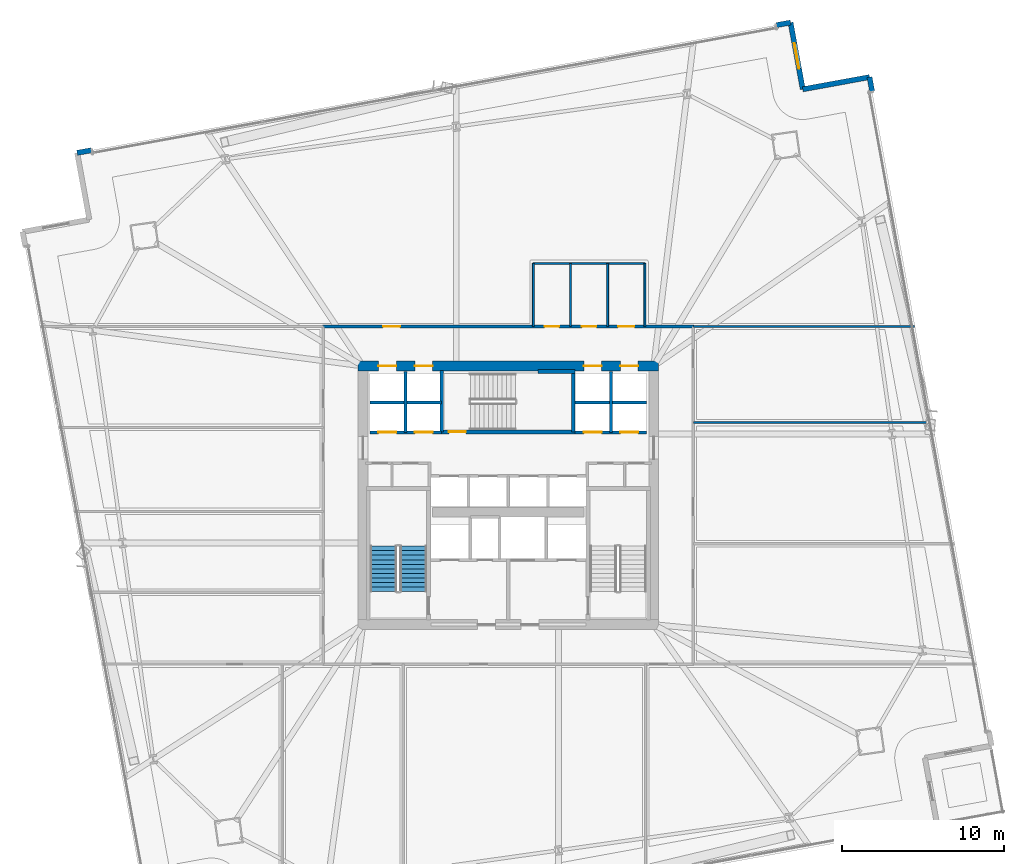
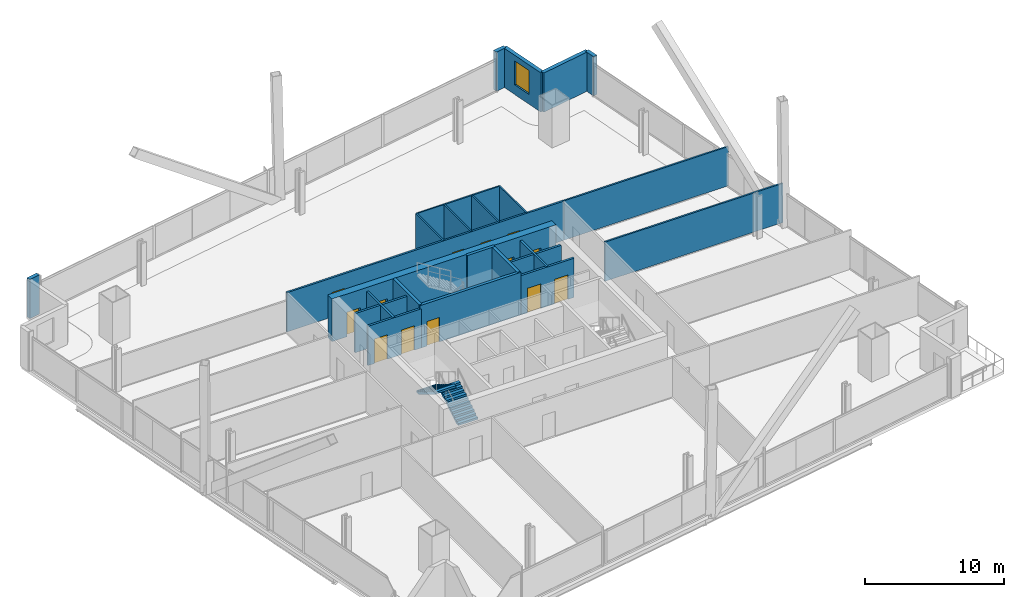
# One storey, part 28 of 34: 24 walls, 13 doors, 2 stair flights, 1 window, 14 openings, 1 element without a shape of its own.
"""IFC4 building model written with IfcOpenShell, lengths in metres."""

from ifc_helpers import new_model, si_unit, direction, frame, frame_2d, origin, place, context, subcontext, project, spatial, polyline, rectangle, outline, extrude, material, layer, layer_set, type_object, element, fill, aggregate, save


model = new_model("IFC4")

# Units and contexts
model_context = context("Model", 3, precision=1e-05, world=origin(), true_north=direction((0.0, 1.0)))
body_context = subcontext(model_context, "Body", "Model", "MODEL_VIEW")
ifc_project = project(units=[si_unit("LENGTHUNIT", "METRE"), si_unit("AREAUNIT", "SQUARE_METRE"), si_unit("VOLUMEUNIT", "CUBIC_METRE"), si_unit("PLANEANGLEUNIT", "RADIAN"), si_unit("MASSUNIT", "GRAM", prefix="KILO")], contexts=[model_context])

# Site, building, storey
site_placement = place(None, origin())
site = spatial("IfcSite", under=ifc_project, at=site_placement, CompositionType="ELEMENT")
building_placement = place(site_placement, origin())
building = spatial("IfcBuilding", under=site, at=building_placement, Name="Haldenkirk Collegiate Tower", CompositionType="ELEMENT")
storey_placement = place(building_placement, frame((0.0, 0.0, 62.699951171875)))
storey = spatial("IfcBuildingStorey", under=building, at=storey_placement, Name="L14", CompositionType="ELEMENT", Elevation=62.699951171875)

# Wall, openings, doors
ifc_material_1 = material(Name="Concrete f'c 70 MPa", Category="concrete")
ifc_layer_1 = layer(ifc_material_1, 0.60009765625)
ifc_layer_set_1 = layer_set([ifc_layer_1], Name="Concrete f'c 70 MPa")
wall_type_1 = type_object("IfcWallType", Name="WL-CORE-600", PredefinedType="SHEAR", material=ifc_layer_set_1)
wall_1_placement = place(storey_placement, frame((26.699951171875, 34.0, 0.0), z_axis=(0.0, 0.0, 1.0), x_axis=(1.0, 0.0, 0.0)))
wall_1 = element("IfcWall", 1, at=wall_1_placement, inside=storey, type_object=wall_type_1, Name="L14 central core shear wall N", PredefinedType="SHEAR", context=body_context, shape_type="SweptSolid", body=[
    extrude(rectangle(XDim=18.60009765625, YDim=0.60009765625, at=frame_2d((9.300048828125, 0.0))), origin(), (0.0, 0.0, 1.0), 3.75),
])
opening_1_placement = place(wall_1_placement, frame((1.264892578125, 0.0, 0.0)))
opening_1 = element("IfcOpeningElement", 2, at=opening_1_placement, cuts=wall_1, Name="Opening LD-11", PredefinedType="OPENING", context=body_context, shape_type="SweptSolid", body=[
    extrude(rectangle(XDim=1.10009765625, YDim=2.14990234375, at=frame_2d((0.550048828125, 1.074951171875))), frame((0.0, 0.31005859375, 0.0), z_axis=(0.0, -1.0, 0.0), x_axis=(1.0, 0.0, 0.0)), (0.0, 0.0, 1.0), 0.6201171875),
])
opening_2_placement = place(wall_1_placement, frame((3.514892578125, 0.0, 0.0)))
opening_2 = element("IfcOpeningElement", 3, at=opening_2_placement, cuts=wall_1, Name="Opening LD-11", PredefinedType="OPENING", context=body_context, shape_type="SweptSolid", body=[
    extrude(rectangle(XDim=1.10009765625, YDim=2.14990234375, at=frame_2d((0.550048828125, 1.074951171875))), frame((0.0, 0.31005859375, 0.0), z_axis=(0.0, -1.0, 0.0), x_axis=(1.0, 0.0, 0.0)), (0.0, 0.0, 1.0), 0.6201171875),
])
opening_3_placement = place(wall_1_placement, frame((13.985107421875, 0.0, 0.0)))
opening_3 = element("IfcOpeningElement", 4, at=opening_3_placement, cuts=wall_1, Name="Opening LD-11", PredefinedType="OPENING", context=body_context, shape_type="SweptSolid", body=[
    extrude(rectangle(XDim=1.10009765625, YDim=2.14990234375, at=frame_2d((0.550048828125, 1.074951171875))), frame((0.0, 0.31005859375, 0.0), z_axis=(0.0, -1.0, 0.0), x_axis=(1.0, 0.0, 0.0)), (0.0, 0.0, 1.0), 0.6201171875),
])
opening_4_placement = place(wall_1_placement, frame((16.235107421875, 0.0, 0.0)))
opening_4 = element("IfcOpeningElement", 5, at=opening_4_placement, cuts=wall_1, Name="Opening LD-11", PredefinedType="OPENING", context=body_context, shape_type="SweptSolid", body=[
    extrude(rectangle(XDim=1.10009765625, YDim=2.14990234375, at=frame_2d((0.550048828125, 1.074951171875))), frame((0.0, 0.31005859375, 0.0), z_axis=(0.0, -1.0, 0.0), x_axis=(1.0, 0.0, 0.0)), (0.0, 0.0, 1.0), 0.6201171875),
])
ifc_material_2 = material(Name="Brushed architectural stainless steel", Category="steel")
ifc_layer_2 = layer(ifc_material_2, 0.06005859375)
ifc_layer_set_2 = layer_set([ifc_layer_2], Name="Brushed architectural stainless steel")
door_type_1 = type_object("IfcDoorType", Name="LD-PASS-1100", OperationType="NOTDEFINED", PredefinedType="DOOR", material=ifc_layer_set_2)
door_1_placement = place(opening_1_placement, origin())
door_1 = element("IfcDoor", 6, at=door_1_placement, inside=storey, type_object=door_type_1, Name="L14 Elevator PL3 sliding landing door", OperationType="SLIDING_TO_LEFT", OverallHeight=2.14990234375, OverallWidth=1.10009765625, PredefinedType="DOOR", context=body_context, shape_type="SweptSolid", body=[
    extrude(rectangle(XDim=1.10009765625, YDim=2.14990234375, at=frame_2d((0.550048828125, 1.074951171875))), frame((0.0, 0.02490234375, 0.0), z_axis=(0.0, -1.0, 0.0), x_axis=(1.0, 0.0, 0.0)), (0.0, 0.0, 1.0), 0.050048828125),
])
fill(opening_1, door_1)
door_2_placement = place(opening_2_placement, origin())
door_2 = element("IfcDoor", 7, at=door_2_placement, inside=storey, type_object=door_type_1, Name="L14 Elevator PL4 sliding landing door", OperationType="SLIDING_TO_LEFT", OverallHeight=2.14990234375, OverallWidth=1.10009765625, PredefinedType="DOOR", context=body_context, shape_type="SweptSolid", body=[
    extrude(rectangle(XDim=1.10009765625, YDim=2.14990234375, at=frame_2d((0.550048828125, 1.074951171875))), frame((0.0, 0.02490234375, 0.0), z_axis=(0.0, -1.0, 0.0), x_axis=(1.0, 0.0, 0.0)), (0.0, 0.0, 1.0), 0.050048828125),
])
fill(opening_2, door_2)
door_3_placement = place(opening_3_placement, origin())
door_3 = element("IfcDoor", 8, at=door_3_placement, inside=storey, type_object=door_type_1, Name="L14 Elevator PM3 sliding landing door", OperationType="SLIDING_TO_LEFT", OverallHeight=2.14990234375, OverallWidth=1.10009765625, PredefinedType="DOOR", context=body_context, shape_type="SweptSolid", body=[
    extrude(rectangle(XDim=1.10009765625, YDim=2.14990234375, at=frame_2d((0.550048828125, 1.074951171875))), frame((0.0, 0.02490234375, 0.0), z_axis=(0.0, -1.0, 0.0), x_axis=(1.0, 0.0, 0.0)), (0.0, 0.0, 1.0), 0.050048828125),
])
fill(opening_3, door_3)
door_4_placement = place(opening_4_placement, origin())
door_4 = element("IfcDoor", 9, at=door_4_placement, inside=storey, type_object=door_type_1, Name="L14 Elevator PM4 sliding landing door", OperationType="SLIDING_TO_LEFT", OverallHeight=2.14990234375, OverallWidth=1.10009765625, PredefinedType="DOOR", context=body_context, shape_type="SweptSolid", body=[
    extrude(rectangle(XDim=1.10009765625, YDim=2.14990234375, at=frame_2d((0.550048828125, 1.074951171875))), frame((0.0, 0.02490234375, 0.0), z_axis=(0.0, -1.0, 0.0), x_axis=(1.0, 0.0, 0.0)), (0.0, 0.0, 1.0), 0.050048828125),
])
fill(opening_4, door_4)

# Walls
ifc_material_3 = material(Name="Precast concrete f'c 40 MPa", Category="concrete")
ifc_layer_3 = layer(ifc_material_3, 0.320068359375)
ifc_layer_set_3 = layer_set([ifc_layer_3], Name="Precast concrete f'c 40 MPa")
wall_type_2 = type_object("IfcWallType", Name="WL-EXT-TWR-320", PredefinedType="STANDARD", material=ifc_layer_set_3)
wall_2_placement = place(storey_placement, frame((58.362548828125, 51.888916015625, 0.0), z_axis=(0.0, 0.0, 1.0), x_axis=(0.179816171266, -0.983700231042, 0.0)))
element("IfcWall", 10, at=wall_2_placement, inside=storey, type_object=wall_type_2, Name="L14 precast corner pier EL", PredefinedType="STANDARD", context=body_context, shape_type="SweptSolid", body=[
    extrude(rectangle(XDim=0.900146484375, YDim=0.320068359375, at=frame_2d((0.4501953125, 0.0))), origin(), (0.0, 0.0, 1.0), 3.43994140625),
])
wall_3_placement = place(storey_placement, frame((54.23095703125, 51.134521484375, 0.0), z_axis=(0.0, 0.0, 1.0), x_axis=(0.983735702591, 0.179622012705, 0.0)))
element("IfcWall", 11, at=wall_3_placement, inside=storey, type_object=wall_type_2, Name="L14 bronze precast notch wall 05", PredefinedType="STANDARD", context=body_context, shape_type="SweptSolid", body=[
    extrude(rectangle(XDim=4.199951171875, YDim=0.320068359375, at=frame_2d((2.10009765625, 0.0))), origin(), (0.0, 0.0, 1.0), 3.43994140625),
])

# Wall, opening, window
wall_4_placement = place(storey_placement, frame((53.476318359375, 55.26611328125, 0.0), z_axis=(0.0, 0.0, 1.0), x_axis=(0.179678266411, -0.983725429467, 0.0)))
wall_4 = element("IfcWall", 12, at=wall_4_placement, inside=storey, type_object=wall_type_2, Name="L14 bronze precast notch wall 06", PredefinedType="STANDARD", context=body_context, shape_type="SweptSolid", body=[
    extrude(rectangle(XDim=4.199951171875, YDim=0.320068359375, at=frame_2d((2.10009765625, 0.0))), origin(), (0.0, 0.0, 1.0), 3.43994140625),
])
opening_5_placement = place(wall_4_placement, frame((1.300048828125, 0.0, 0.85009765625)))
opening_5 = element("IfcOpeningElement", 13, at=opening_5_placement, cuts=wall_4, Name="Opening W-03", PredefinedType="OPENING", context=body_context, shape_type="SweptSolid", body=[
    extrude(rectangle(XDim=1.60009765625, YDim=2.10009765625, at=frame_2d((0.800048828125, 1.050048828125))), frame((0.0, 0.169921875, 0.0), z_axis=(0.0, -1.0, 0.0), x_axis=(1.0, 0.0, 0.0)), (0.0, 0.0, 1.0), 0.340087890625),
])
ifc_material_4 = material(Name="Low-E argon triple insulating glass", Category="glass")
ifc_layer_4 = layer(ifc_material_4, 0.090087890625)
ifc_layer_set_4 = layer_set([ifc_layer_4], Name="Low-E argon triple insulating glass")
window_type = type_object("IfcWindowType", Name="WN-Z1-1600X2100", PartitioningType="SINGLE_PANEL", PredefinedType="WINDOW", material=ifc_layer_set_4)
window_placement = place(opening_5_placement, origin())
window = element("IfcWindow", 14, at=window_placement, inside=storey, type_object=window_type, Name="L14 precast-frame academic window 5", OverallHeight=2.10009765625, OverallWidth=1.60009765625, PartitioningType="SINGLE_PANEL", PredefinedType="WINDOW", context=body_context, shape_type="SweptSolid", body=[
    extrude(rectangle(XDim=1.60009765625, YDim=2.10009765625, at=frame_2d((0.800048828125, 1.050048828125))), frame((0.0, 0.030029296875, 0.0), z_axis=(0.0, -1.0, 0.0), x_axis=(1.0, 0.0, 0.0)), (0.0, 0.0, 1.0), 0.06005859375),
])
fill(opening_5, window)

# Walls
wall_5_placement = place(storey_placement, frame((9.306884765625, 47.19921875, 0.0), z_axis=(0.0, 0.0, 1.0), x_axis=(0.983700231042, 0.179816171266, 0.0)))
element("IfcWall", 15, at=wall_5_placement, inside=storey, type_object=wall_type_2, Name="L14 precast corner pier NL", PredefinedType="STANDARD", context=body_context, shape_type="SweptSolid", body=[
    extrude(rectangle(XDim=0.900146484375, YDim=0.320068359375, at=frame_2d((0.4501953125, 0.0))), origin(), (0.0, 0.0, 1.0), 3.43994140625),
])
wall_6_placement = place(storey_placement, frame((52.591064453125, 55.104248046875, 0.0), z_axis=(0.0, 0.0, 1.0), x_axis=(0.983691458074, 0.179864157943, 0.0)))
element("IfcWall", 16, at=wall_6_placement, inside=storey, type_object=wall_type_2, Name="L14 precast corner pier NR", PredefinedType="STANDARD", context=body_context, shape_type="SweptSolid", body=[
    extrude(rectangle(XDim=0.89990234375, YDim=0.320068359375, at=frame_2d((0.449951171875, 0.0))), origin(), (0.0, 0.0, 1.0), 3.43994140625),
])

# Wall, openings, doors
ifc_material_5 = material(Name="Acoustic fire-rated gypsum partition", Category="concrete")
ifc_layer_5 = layer(ifc_material_5, 0.159912109375)
ifc_layer_set_5 = layer_set([ifc_layer_5], Name="Acoustic fire-rated gypsum partition")
wall_type_3 = type_object("IfcWallType", Name="WL-INT-CORR-160", PredefinedType="PARTITIONING", material=ifc_layer_set_5)
wall_7_placement = place(storey_placement, frame((24.5, 36.449951171875, 0.0), z_axis=(0.0, 0.0, 1.0), x_axis=(1.0, 0.0, 0.0)))
wall_7 = element("IfcWall", 17, at=wall_7_placement, inside=storey, type_object=wall_type_3, Name="L14 interior partition IW-L14-CN", PredefinedType="PARTITIONING", context=body_context, shape_type="SweptSolid", body=[
    extrude(rectangle(XDim=23.0, YDim=0.159912109375, at=frame_2d((11.5, 0.0))), origin(), (0.0, 0.0, 1.0), 3.43994140625),
])
opening_6_placement = place(wall_7_placement, frame((13.75, 0.0, 0.0)))
opening_6 = element("IfcOpeningElement", 18, at=opening_6_placement, cuts=wall_7, Name="Opening D-13", PredefinedType="OPENING", context=body_context, shape_type="SweptSolid", body=[
    extrude(rectangle(XDim=0.89990234375, YDim=2.14990234375, at=frame_2d((0.449951171875, 1.074951171875))), frame((0.0, 0.08984375, 0.0), z_axis=(0.0, -1.0, 0.0), x_axis=(1.0, 0.0, 0.0)), (0.0, 0.0, 1.0), 0.179931640625),
])
opening_7_placement = place(wall_7_placement, frame((16.050048828125, 0.0, 0.0)))
opening_7 = element("IfcOpeningElement", 19, at=opening_7_placement, cuts=wall_7, Name="Opening D-13", PredefinedType="OPENING", context=body_context, shape_type="SweptSolid", body=[
    extrude(rectangle(XDim=0.89990234375, YDim=2.14990234375, at=frame_2d((0.449951171875, 1.074951171875))), frame((0.0, 0.08984375, 0.0), z_axis=(0.0, -1.0, 0.0), x_axis=(1.0, 0.0, 0.0)), (0.0, 0.0, 1.0), 0.179931640625),
])
opening_8_placement = place(wall_7_placement, frame((18.300048828125, 0.0, 0.0)))
opening_8 = element("IfcOpeningElement", 20, at=opening_8_placement, cuts=wall_7, Name="Opening D-14", PredefinedType="OPENING", context=body_context, shape_type="SweptSolid", body=[
    extrude(rectangle(XDim=1.0, YDim=2.14990234375, at=frame_2d((0.5, 1.074951171875))), frame((0.0, 0.08984375, 0.0), z_axis=(0.0, -1.0, 0.0), x_axis=(1.0, 0.0, 0.0)), (0.0, 0.0, 1.0), 0.179931640625),
])
opening_9_placement = place(wall_7_placement, frame((3.7509765625, 0.0, 0.0)))
opening_9 = element("IfcOpeningElement", 21, at=opening_9_placement, cuts=wall_7, Name="Opening D-09", PredefinedType="OPENING", context=body_context, shape_type="SweptSolid", body=[
    extrude(rectangle(XDim=1.050048828125, YDim=2.14990234375, at=frame_2d((0.52490234375, 1.074951171875))), frame((0.0, 0.08984375, 0.0), z_axis=(0.0, -1.0, 0.0), x_axis=(1.0, 0.0, 0.0)), (0.0, 0.0, 1.0), 0.179931640625),
])
ifc_material_6 = material(Name="Solid-core architectural oak fire door", Category="wood")
ifc_layer_6 = layer(ifc_material_6, 0.06005859375)
ifc_layer_set_6 = layer_set([ifc_layer_6], Name="Solid-core architectural oak fire door")
door_type_2 = type_object("IfcDoorType", Name="DR-INT-ACC-1000", OperationType="NOTDEFINED", PredefinedType="DOOR", material=ifc_layer_set_6)
door_5_placement = place(opening_8_placement, origin())
door_5 = element("IfcDoor", 22, at=door_5_placement, inside=storey, type_object=door_type_2, Name="L14 Accessible WC door", OperationType="SINGLE_SWING_LEFT", OverallHeight=2.14990234375, OverallWidth=1.0, PredefinedType="DOOR", context=body_context, shape_type="SweptSolid", body=[
    extrude(rectangle(XDim=1.0, YDim=2.14990234375, at=frame_2d((0.5, 1.074951171875))), frame((0.0, 0.02490234375, 0.0), z_axis=(0.0, -1.0, 0.0), x_axis=(1.0, 0.0, 0.0)), (0.0, 0.0, 1.0), 0.050048828125),
])
fill(opening_8, door_5)
ifc_layer_7 = layer(ifc_material_6, 0.06005859375)
ifc_layer_set_7 = layer_set([ifc_layer_7], Name="Solid-core architectural oak fire door")
door_type_3 = type_object("IfcDoorType", Name="DR-INT-FD60-1050", OperationType="NOTDEFINED", PredefinedType="DOOR", material=ifc_layer_set_7)
door_6_placement = place(opening_9_placement, origin())
door_6 = element("IfcDoor", 23, at=door_6_placement, inside=storey, type_object=door_type_3, Name="L14 Periodical Reading Lounge 5 door", OperationType="SINGLE_SWING_RIGHT", OverallHeight=2.14990234375, OverallWidth=1.050048828125, PredefinedType="DOOR", context=body_context, shape_type="SweptSolid", body=[
    extrude(rectangle(XDim=1.050048828125, YDim=2.14990234375, at=frame_2d((0.52490234375, 1.074951171875))), frame((0.0, 0.02490234375, 0.0), z_axis=(0.0, -1.0, 0.0), x_axis=(1.0, 0.0, 0.0)), (0.0, 0.0, 1.0), 0.050048828125),
])
fill(opening_9, door_6)
ifc_layer_8 = layer(ifc_material_6, 0.06005859375)
ifc_layer_set_8 = layer_set([ifc_layer_8], Name="Solid-core architectural oak fire door")
door_type_4 = type_object("IfcDoorType", Name="DR-INT-STD-900", OperationType="NOTDEFINED", PredefinedType="DOOR", material=ifc_layer_set_8)
door_7_placement = place(opening_6_placement, origin())
door_7 = element("IfcDoor", 24, at=door_7_placement, inside=storey, type_object=door_type_4, Name="L14 Male WC door", OperationType="SINGLE_SWING_LEFT", OverallHeight=2.14990234375, OverallWidth=0.89990234375, PredefinedType="DOOR", context=body_context, shape_type="SweptSolid", body=[
    extrude(rectangle(XDim=0.89990234375, YDim=2.14990234375, at=frame_2d((0.449951171875, 1.074951171875))), frame((0.0, 0.02490234375, 0.0), z_axis=(0.0, -1.0, 0.0), x_axis=(1.0, 0.0, 0.0)), (0.0, 0.0, 1.0), 0.050048828125),
])
fill(opening_6, door_7)
door_8_placement = place(opening_7_placement, origin())
door_8 = element("IfcDoor", 25, at=door_8_placement, inside=storey, type_object=door_type_4, Name="L14 Female WC door", OperationType="SINGLE_SWING_RIGHT", OverallHeight=2.14990234375, OverallWidth=0.89990234375, PredefinedType="DOOR", context=body_context, shape_type="SweptSolid", body=[
    extrude(rectangle(XDim=0.89990234375, YDim=2.14990234375, at=frame_2d((0.449951171875, 1.074951171875))), frame((0.0, 0.02490234375, 0.0), z_axis=(0.0, -1.0, 0.0), x_axis=(1.0, 0.0, 0.0)), (0.0, 0.0, 1.0), 0.050048828125),
])
fill(opening_7, door_8)

# Walls
ifc_layer_9 = layer(ifc_material_5, 0.139892578125)
ifc_layer_set_9 = layer_set([ifc_layer_9], Name="Acoustic fire-rated gypsum partition")
wall_type_4 = type_object("IfcWallType", Name="WL-INT-DIV-140", PredefinedType="PARTITIONING", material=ifc_layer_set_9)
wall_8_placement = place(storey_placement, frame((47.449951171875, 36.449951171875, 0.0), z_axis=(0.0, 0.0, 1.0), x_axis=(1.0, 0.0, 0.0)))
element("IfcWall", 26, at=wall_8_placement, inside=storey, type_object=wall_type_4, Name="L14 interior partition IW-L14-BEN", PredefinedType="PARTITIONING", context=body_context, shape_type="SweptSolid", body=[
    extrude(rectangle(XDim=13.691650390625, YDim=0.139892578125, at=frame_2d((6.845703125, 0.0))), origin(), (0.0, 0.0, 1.0), 3.43994140625),
])
wall_9_placement = place(storey_placement, frame((47.449951171875, 30.5, 0.0), z_axis=(0.0, 0.0, 1.0), x_axis=(1.0, 0.0, 0.0)))
element("IfcWall", 27, at=wall_9_placement, inside=storey, type_object=wall_type_4, Name="L14 interior partition IW-L14-RE2", PredefinedType="PARTITIONING", context=body_context, shape_type="SweptSolid", body=[
    extrude(rectangle(XDim=14.7783203125, YDim=0.139892578125, at=frame_2d((7.38916015625, 0.0))), origin(), (0.0, 0.0, 1.0), 3.43994140625),
])

# Wall, openings, doors
ifc_material_7 = material(Name="Fire-rated gypsum shaftboard assembly", Category="concrete")
ifc_layer_10 = layer(ifc_material_7, 0.179931640625)
ifc_layer_set_10 = layer_set([ifc_layer_10], Name="Fire-rated gypsum shaftboard assembly")
wall_type_5 = type_object("IfcWallType", Name="WL-INT-SHAFT-180", PredefinedType="PARTITIONING", material=ifc_layer_set_10)
wall_10_placement = place(storey_placement, frame((27.449951171875, 29.89990234375, 0.0), z_axis=(0.0, 0.0, 1.0), x_axis=(1.0, 0.0, 0.0)))
wall_10 = element("IfcWall", 28, at=wall_10_placement, inside=storey, type_object=wall_type_5, Name="L14 interior partition IW-L14-PLS", PredefinedType="PARTITIONING", context=body_context, shape_type="SweptSolid", body=[
    extrude(rectangle(XDim=4.429931640625, YDim=0.179931640625, at=frame_2d((2.21484375, 0.0))), origin(), (0.0, 0.0, 1.0), 3.43994140625),
])
opening_10_placement = place(wall_10_placement, frame((0.514892578125, 0.0, 0.0)))
opening_10 = element("IfcOpeningElement", 29, at=opening_10_placement, cuts=wall_10, Name="Opening LD-11", PredefinedType="OPENING", context=body_context, shape_type="SweptSolid", body=[
    extrude(rectangle(XDim=1.10009765625, YDim=2.14990234375, at=frame_2d((0.550048828125, 1.074951171875))), frame((0.0, 0.099853515625, 0.0), z_axis=(0.0, -1.0, 0.0), x_axis=(1.0, 0.0, 0.0)), (0.0, 0.0, 1.0), 0.199951171875),
])
opening_11_placement = place(wall_10_placement, frame((2.764892578125, 0.0, 0.0)))
opening_11 = element("IfcOpeningElement", 30, at=opening_11_placement, cuts=wall_10, Name="Opening LD-11", PredefinedType="OPENING", context=body_context, shape_type="SweptSolid", body=[
    extrude(rectangle(XDim=1.10009765625, YDim=2.14990234375, at=frame_2d((0.550048828125, 1.074951171875))), frame((0.0, 0.099853515625, 0.0), z_axis=(0.0, -1.0, 0.0), x_axis=(1.0, 0.0, 0.0)), (0.0, 0.0, 1.0), 0.199951171875),
])
door_9_placement = place(opening_10_placement, origin())
door_9 = element("IfcDoor", 31, at=door_9_placement, inside=storey, type_object=door_type_1, Name="L14 Elevator PL1 sliding landing door", OperationType="SLIDING_TO_LEFT", OverallHeight=2.14990234375, OverallWidth=1.10009765625, PredefinedType="DOOR", context=body_context, shape_type="SweptSolid", body=[
    extrude(rectangle(XDim=1.10009765625, YDim=2.14990234375, at=frame_2d((0.550048828125, 1.074951171875))), frame((0.0, 0.02490234375, 0.0), z_axis=(0.0, -1.0, 0.0), x_axis=(1.0, 0.0, 0.0)), (0.0, 0.0, 1.0), 0.050048828125),
])
fill(opening_10, door_9)
door_10_placement = place(opening_11_placement, origin())
door_10 = element("IfcDoor", 32, at=door_10_placement, inside=storey, type_object=door_type_1, Name="L14 Elevator PL2 sliding landing door", OperationType="SLIDING_TO_LEFT", OverallHeight=2.14990234375, OverallWidth=1.10009765625, PredefinedType="DOOR", context=body_context, shape_type="SweptSolid", body=[
    extrude(rectangle(XDim=1.10009765625, YDim=2.14990234375, at=frame_2d((0.550048828125, 1.074951171875))), frame((0.0, 0.02490234375, 0.0), z_axis=(0.0, -1.0, 0.0), x_axis=(1.0, 0.0, 0.0)), (0.0, 0.0, 1.0), 0.050048828125),
])
fill(opening_11, door_10)

# Walls
wall_11_placement = place(storey_placement, frame((27.449951171875, 31.75, 0.0), z_axis=(0.0, 0.0, 1.0), x_axis=(1.0, 0.0, 0.0)))
element("IfcWall", 33, at=wall_11_placement, inside=storey, type_object=wall_type_5, Name="L14 interior partition IW-L14-PLM", PredefinedType="PARTITIONING", context=body_context, shape_type="SweptSolid", body=[
    extrude(rectangle(XDim=4.429931640625, YDim=0.179931640625, at=frame_2d((2.21484375, 0.0))), origin(), (0.0, 0.0, 1.0), 3.43994140625),
])
wall_12_placement = place(storey_placement, frame((29.6298828125, 29.89990234375, 0.0), z_axis=(0.0, 0.0, 1.0), x_axis=(0.0, 1.0, 0.0)))
element("IfcWall", 34, at=wall_12_placement, inside=storey, type_object=wall_type_5, Name="L14 interior partition IW-L14-PLV", PredefinedType="PARTITIONING", context=body_context, shape_type="SweptSolid", body=[
    extrude(rectangle(XDim=3.75, YDim=0.179931640625, at=frame_2d((1.875, 0.0))), origin(), (0.0, 0.0, 1.0), 3.43994140625),
])

# Wall, openings, doors
wall_13_placement = place(storey_placement, frame((40.1201171875, 29.89990234375, 0.0), z_axis=(0.0, 0.0, 1.0), x_axis=(1.0, 0.0, 0.0)))
wall_13 = element("IfcWall", 35, at=wall_13_placement, inside=storey, type_object=wall_type_5, Name="L14 interior partition IW-L14-PMS", PredefinedType="PARTITIONING", context=body_context, shape_type="SweptSolid", body=[
    extrude(rectangle(XDim=4.429931640625, YDim=0.179931640625, at=frame_2d((2.21484375, 0.0))), origin(), (0.0, 0.0, 1.0), 3.43994140625),
])
opening_12_placement = place(wall_13_placement, frame((0.56494140625, 0.0, 0.0)))
opening_12 = element("IfcOpeningElement", 36, at=opening_12_placement, cuts=wall_13, Name="Opening LD-11", PredefinedType="OPENING", context=body_context, shape_type="SweptSolid", body=[
    extrude(rectangle(XDim=1.10009765625, YDim=2.14990234375, at=frame_2d((0.550048828125, 1.074951171875))), frame((0.0, 0.099853515625, 0.0), z_axis=(0.0, -1.0, 0.0), x_axis=(1.0, 0.0, 0.0)), (0.0, 0.0, 1.0), 0.199951171875),
])
opening_13_placement = place(wall_13_placement, frame((2.81494140625, 0.0, 0.0)))
opening_13 = element("IfcOpeningElement", 37, at=opening_13_placement, cuts=wall_13, Name="Opening LD-11", PredefinedType="OPENING", context=body_context, shape_type="SweptSolid", body=[
    extrude(rectangle(XDim=1.10009765625, YDim=2.14990234375, at=frame_2d((0.550048828125, 1.074951171875))), frame((0.0, 0.099853515625, 0.0), z_axis=(0.0, -1.0, 0.0), x_axis=(1.0, 0.0, 0.0)), (0.0, 0.0, 1.0), 0.199951171875),
])
door_11_placement = place(opening_12_placement, origin())
door_11 = element("IfcDoor", 38, at=door_11_placement, inside=storey, type_object=door_type_1, Name="L14 Elevator PM1 sliding landing door", OperationType="SLIDING_TO_LEFT", OverallHeight=2.14990234375, OverallWidth=1.10009765625, PredefinedType="DOOR", context=body_context, shape_type="SweptSolid", body=[
    extrude(rectangle(XDim=1.10009765625, YDim=2.14990234375, at=frame_2d((0.550048828125, 1.074951171875))), frame((0.0, 0.02490234375, 0.0), z_axis=(0.0, -1.0, 0.0), x_axis=(1.0, 0.0, 0.0)), (0.0, 0.0, 1.0), 0.050048828125),
])
fill(opening_12, door_11)
door_12_placement = place(opening_13_placement, origin())
door_12 = element("IfcDoor", 39, at=door_12_placement, inside=storey, type_object=door_type_1, Name="L14 Elevator PM2 sliding landing door", OperationType="SLIDING_TO_LEFT", OverallHeight=2.14990234375, OverallWidth=1.10009765625, PredefinedType="DOOR", context=body_context, shape_type="SweptSolid", body=[
    extrude(rectangle(XDim=1.10009765625, YDim=2.14990234375, at=frame_2d((0.550048828125, 1.074951171875))), frame((0.0, 0.02490234375, 0.0), z_axis=(0.0, -1.0, 0.0), x_axis=(1.0, 0.0, 0.0)), (0.0, 0.0, 1.0), 0.050048828125),
])
fill(opening_13, door_12)

# Walls
wall_14_placement = place(storey_placement, frame((40.1201171875, 31.75, 0.0), z_axis=(0.0, 0.0, 1.0), x_axis=(1.0, 0.0, 0.0)))
element("IfcWall", 40, at=wall_14_placement, inside=storey, type_object=wall_type_5, Name="L14 interior partition IW-L14-PMM", PredefinedType="PARTITIONING", context=body_context, shape_type="SweptSolid", body=[
    extrude(rectangle(XDim=4.429931640625, YDim=0.179931640625, at=frame_2d((2.21484375, 0.0))), origin(), (0.0, 0.0, 1.0), 3.43994140625),
])
wall_15_placement = place(storey_placement, frame((42.3701171875, 29.89990234375, 0.0), z_axis=(0.0, 0.0, 1.0), x_axis=(0.0, 1.0, 0.0)))
element("IfcWall", 41, at=wall_15_placement, inside=storey, type_object=wall_type_5, Name="L14 interior partition IW-L14-PMV", PredefinedType="PARTITIONING", context=body_context, shape_type="SweptSolid", body=[
    extrude(rectangle(XDim=3.75, YDim=0.179931640625, at=frame_2d((1.875, 0.0))), origin(), (0.0, 0.0, 1.0), 3.43994140625),
])
ifc_layer_11 = layer(ifc_material_5, 0.1201171875)
ifc_layer_set_11 = layer_set([ifc_layer_11], Name="Acoustic fire-rated gypsum partition")
wall_type_6 = type_object("IfcWallType", Name="WL-INT-WET-120", PredefinedType="PARTITIONING", material=ifc_layer_set_11)
for number, where, z_axis, x_axis, name in (
    (42, (37.550048828125, 36.449951171875, 0.0), (0.0, 0.0, 1.0), (0.0, 1.0, 0.0), "L14 interior partition IW-L14-WCW"),
    (43, (39.85009765625, 36.449951171875, 0.0), (0.0, 0.0, 1.0), (0.0, 1.0, 0.0), "L14 interior partition IW-L14-WC1"),
    (44, (42.14990234375, 36.449951171875, 0.0), (0.0, 0.0, 1.0), (0.0, 1.0, 0.0), "L14 interior partition IW-L14-WC2"),
    (45, (44.449951171875, 36.449951171875, 0.0), (0.0, 0.0, 1.0), (0.0, 1.0, 0.0), "L14 interior partition IW-L14-WCE"),
):
    element("IfcWall", number, at=place(storey_placement, frame(where, z_axis=z_axis, x_axis=x_axis)), inside=storey, type_object=wall_type_6, Name=name, PredefinedType="PARTITIONING", context=body_context, shape_type="SweptSolid", body=[
        extrude(rectangle(XDim=3.900146484375, YDim=0.1201171875, at=frame_2d((1.9501953125, 0.0))), origin(), (0.0, 0.0, 1.0), 3.43994140625),
    ])
wall_16_placement = place(storey_placement, frame((37.550048828125, 40.35009765625, 0.0), z_axis=(0.0, 0.0, 1.0), x_axis=(1.0, 0.0, 0.0)))
element("IfcWall", 46, at=wall_16_placement, inside=storey, type_object=wall_type_6, Name="L14 interior partition IW-L14-WCB", PredefinedType="PARTITIONING", context=body_context, shape_type="SweptSolid", body=[
    extrude(rectangle(XDim=6.89990234375, YDim=0.1201171875, at=frame_2d((3.449951171875, 0.0))), origin(), (0.0, 0.0, 1.0), 3.43994140625),
])

# Wall, opening, door
ifc_material_8 = material(Name="Concrete f'c 55 MPa", Category="concrete")
ifc_layer_12 = layer(ifc_material_8, 0.239990234375)
ifc_layer_set_12 = layer_set([ifc_layer_12], Name="Concrete f'c 55 MPa")
wall_type_7 = type_object("IfcWallType", Name="WL-SHAFT-240", PredefinedType="SHEAR", material=ifc_layer_set_12)
wall_17_placement = place(storey_placement, frame((31.760009765625, 29.929931640625, 0.0), z_axis=(0.0, 0.0, 1.0), x_axis=(1.0, 0.0, 0.0)))
wall_17 = element("IfcWall", 47, at=wall_17_placement, inside=storey, type_object=wall_type_7, Name="L14 stair shaft shear wall SW-L14-ST3S", PredefinedType="SHEAR", context=body_context, shape_type="SweptSolid", body=[
    extrude(rectangle(XDim=8.3798828125, YDim=0.239990234375, at=frame_2d((4.18994140625, 0.0))), origin(), (0.0, 0.0, 1.0), 3.75),
])
opening_14_placement = place(wall_17_placement, frame((0.56494140625, 0.0, 0.0)))
opening_14 = element("IfcOpeningElement", 48, at=opening_14_placement, cuts=wall_17, Name="Opening D-01", PredefinedType="OPENING", context=body_context, shape_type="SweptSolid", body=[
    extrude(rectangle(XDim=1.050048828125, YDim=2.14990234375, at=frame_2d((0.52490234375, 1.074951171875))), frame((0.0, 0.1298828125, 0.0), z_axis=(0.0, -1.0, 0.0), x_axis=(1.0, 0.0, 0.0)), (0.0, 0.0, 1.0), 0.260009765625),
])
ifc_material_9 = material(Name="Galvanized fire-rated hollow steel door", Category="steel")
ifc_layer_13 = layer(ifc_material_9, 0.06005859375)
ifc_layer_set_13 = layer_set([ifc_layer_13], Name="Galvanized fire-rated hollow steel door")
door_type_5 = type_object("IfcDoorType", Name="DR-STAIR-FD90-1050", OperationType="NOTDEFINED", PredefinedType="DOOR", material=ifc_layer_set_13)
door_13_placement = place(opening_14_placement, origin())
door_13 = element("IfcDoor", 49, at=door_13_placement, inside=storey, type_object=door_type_5, Name="L14 lift lobby Stair 3 door", OperationType="SINGLE_SWING_LEFT", OverallHeight=2.14990234375, OverallWidth=1.050048828125, PredefinedType="DOOR", context=body_context, shape_type="SweptSolid", body=[
    extrude(rectangle(XDim=1.050048828125, YDim=2.14990234375, at=frame_2d((0.52490234375, 1.074951171875))), frame((0.0, 0.02490234375, 0.0), z_axis=(0.0, -1.0, 0.0), x_axis=(1.0, 0.0, 0.0)), (0.0, 0.0, 1.0), 0.050048828125),
])
fill(opening_14, door_13)

# Walls
wall_18_placement = place(storey_placement, frame((31.8798828125, 29.929931640625, 0.0), z_axis=(0.0, 0.0, 1.0), x_axis=(0.0, 1.0, 0.0)))
element("IfcWall", 50, at=wall_18_placement, inside=storey, type_object=wall_type_7, Name="L14 stair shaft shear wall SW-L14-ST3W", PredefinedType="SHEAR", context=body_context, shape_type="SweptSolid", body=[
    extrude(rectangle(XDim=3.7900390625, YDim=0.239990234375, at=frame_2d((1.89501953125, 0.0))), origin(), (0.0, 0.0, 1.0), 3.75),
])
wall_19_placement = place(storey_placement, frame((40.02001953125, 29.929931640625, 0.0), z_axis=(0.0, 0.0, 1.0), x_axis=(0.0, 1.0, 0.0)))
element("IfcWall", 51, at=wall_19_placement, inside=storey, type_object=wall_type_7, Name="L14 stair shaft shear wall SW-L14-ST3E", PredefinedType="SHEAR", context=body_context, shape_type="SweptSolid", body=[
    extrude(rectangle(XDim=3.85009765625, YDim=0.239990234375, at=frame_2d((1.925048828125, 0.0))), origin(), (0.0, 0.0, 1.0), 3.75),
])
wall_20_placement = place(storey_placement, frame((37.85009765625, 33.659912109375, 0.0), z_axis=(0.0, 0.0, 1.0), x_axis=(1.0, 0.0, 0.0)))
element("IfcWall", 52, at=wall_20_placement, inside=storey, type_object=wall_type_7, Name="L14 stair shaft shear wall SW-L14-ST3N", PredefinedType="SHEAR", context=body_context, shape_type="SweptSolid", body=[
    extrude(rectangle(XDim=2.289794921875, YDim=0.239990234375, at=frame_2d((1.14501953125, 0.0))), origin(), (0.0, 0.0, 1.0), 3.75),
])

# Stair, stair flights
ifc_material_10 = material(Name="Concrete f'c 40 MPa", Category="concrete")
stair_type = type_object("IfcStairType", Name="STR-DOGLEG-1650", PredefinedType="HALF_TURN_STAIR", material=ifc_material_10)
stair_placement = place(storey_placement, origin())
stair = element("IfcStair", 53, at=stair_placement, inside=storey, type_object=stair_type, Name="L14 Core Exit Stair ST-1", PredefinedType="HALF_TURN_STAIR")
stair_flight_type = type_object("IfcStairFlightType", Name="STF-FLIGHT-1650", PredefinedType="STRAIGHT", material=ifc_material_10)
stair_flight_1_placement = place(storey_placement, frame((30.125, 20.050048828125, 0.0), z_axis=(0.0, 0.0, 1.0), x_axis=(0.0, 1.0, 0.0)))
stair_flight_1 = element("IfcStairFlight", 54, at=stair_flight_1_placement, type_object=stair_flight_type, Name="ST-1 flight 1", NumberOfRisers=11, NumberOfTreads=10, PredefinedType="STRAIGHT", RiserHeight=0.170454545, TreadLength=0.28, context=body_context, shape_type="SweptSolid", body=[
    extrude(outline(polyline([(0.0, 0.0), (0.0, 0.17041015625), (0.280029296875, 0.17041015625), (0.280029296875, 0.3408203125), (0.56005859375, 0.3408203125), (0.56005859375, 0.511474609375), (0.840087890625, 0.511474609375), (0.840087890625, 0.681884765625), (1.1201171875, 0.681884765625), (1.1201171875, 0.852294921875), (1.39990234375, 0.852294921875), (1.39990234375, 1.022705078125), (1.679931640625, 1.022705078125), (1.679931640625, 1.193115234375), (1.9599609375, 1.193115234375), (1.9599609375, 1.363525390625), (2.239990234375, 1.363525390625), (2.239990234375, 1.5341796875), (2.52001953125, 1.5341796875), (2.52001953125, 1.70458984375), (2.800048828125, 1.70458984375), (2.800048828125, 1.875), (2.800048828125, 1.529052734375), (0.288330078125, 0.0), (0.0, 0.0)])), frame((0.0, 0.824951171875, 0.0), z_axis=(0.0, -1.0, 0.0), x_axis=(1.0, 0.0, 0.0)), (0.0, 0.0, 1.0), 1.64990234375),
])
stair_flight_2_placement = place(storey_placement, frame((28.27490234375, 22.85009765625, 1.875), z_axis=(0.0, 0.0, 1.0), x_axis=(0.0, -1.0, 0.0)))
stair_flight_2 = element("IfcStairFlight", 55, at=stair_flight_2_placement, type_object=stair_flight_type, Name="ST-1 flight 2", NumberOfRisers=11, NumberOfTreads=10, PredefinedType="STRAIGHT", RiserHeight=0.170454545, TreadLength=0.28, context=body_context, shape_type="SweptSolid", body=[
    extrude(outline(polyline([(0.0, 0.0), (0.0, 0.17041015625), (0.280029296875, 0.17041015625), (0.280029296875, 0.3408203125), (0.56005859375, 0.3408203125), (0.56005859375, 0.511474609375), (0.840087890625, 0.511474609375), (0.840087890625, 0.681884765625), (1.1201171875, 0.681884765625), (1.1201171875, 0.852294921875), (1.39990234375, 0.852294921875), (1.39990234375, 1.022705078125), (1.679931640625, 1.022705078125), (1.679931640625, 1.193115234375), (1.9599609375, 1.193115234375), (1.9599609375, 1.363525390625), (2.239990234375, 1.363525390625), (2.239990234375, 1.5341796875), (2.52001953125, 1.5341796875), (2.52001953125, 1.70458984375), (2.800048828125, 1.70458984375), (2.800048828125, 1.875), (2.800048828125, 1.529052734375), (0.288330078125, 0.0), (0.0, 0.0)])), frame((0.0, 0.824951171875, 0.0), z_axis=(0.0, -1.0, 0.0), x_axis=(1.0, 0.0, 0.0)), (0.0, 0.0, 1.0), 1.64990234375),
])
aggregate(stair, [stair_flight_1, stair_flight_2])

save(model, "model.ifc")
